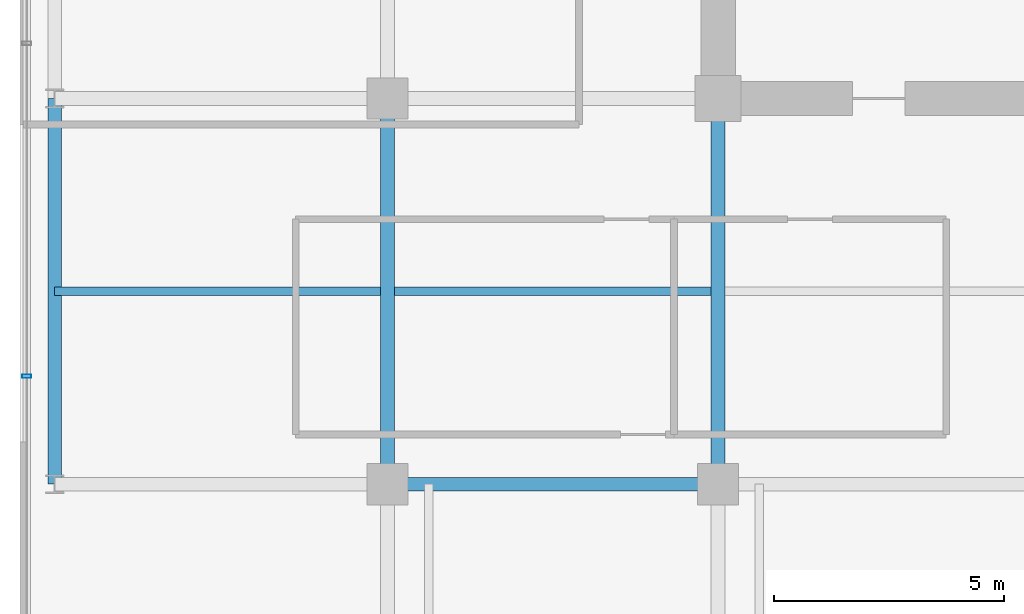
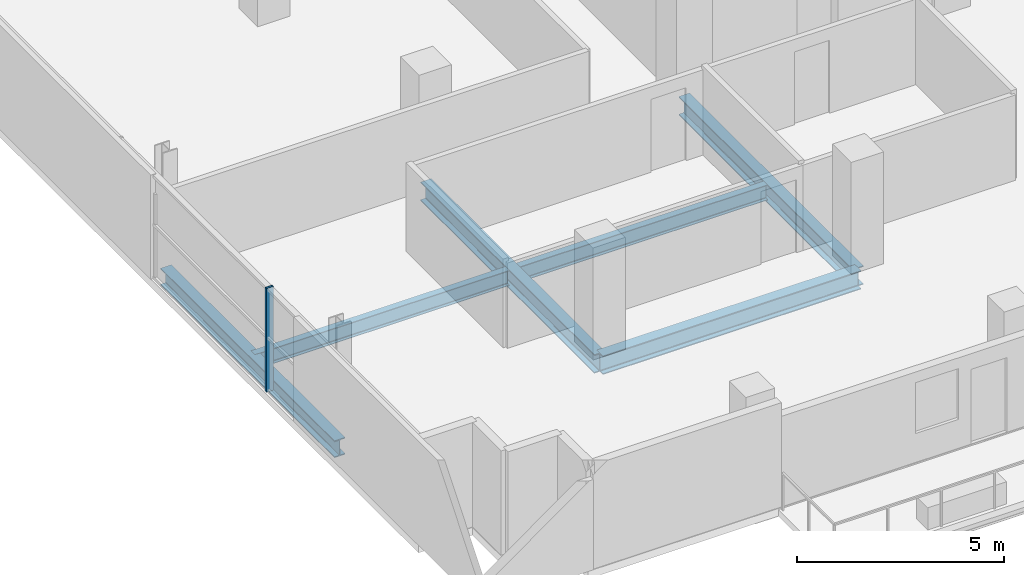
# One storey, part 4 of 25: 6 beams, 1 member, 1 element without a shape of its own.
"""IFC4 building model written with IfcOpenShell, lengths in metres."""

from ifc_helpers import new_model, si_unit, direction, frame, origin, origin_2d, place, context, subcontext, project, spatial, hollow_rectangle, i_section, extrude, source, transform, mapped, material, layer, layer_set, material_profile, profile_set, type_object, element, aggregate, save


model = new_model("IFC4")

# Units and contexts
model_context = context("Model", 3, precision=1e-05, world=origin(), true_north=direction((0.0, 1.0)))
body_context = subcontext(model_context, "Body", "Model", "MODEL_VIEW")
ifc_project = project(units=[si_unit("LENGTHUNIT", "METRE"), si_unit("AREAUNIT", "SQUARE_METRE"), si_unit("VOLUMEUNIT", "CUBIC_METRE"), si_unit("PLANEANGLEUNIT", "RADIAN"), si_unit("MASSUNIT", "GRAM", prefix="KILO")], contexts=[model_context])

# Site, building, storey
site_placement = place(None, origin())
site = spatial("IfcSite", under=ifc_project, at=site_placement, CompositionType="ELEMENT")
building_placement = place(site_placement, origin())
building = spatial("IfcBuilding", under=site, at=building_placement, Name="Zarnakvel Exchange Tower", CompositionType="ELEMENT")
storey_placement = place(building_placement, frame((0.0, 0.0, 100.0)))
storey = spatial("IfcBuildingStorey", under=building, at=storey_placement, Name="L27", CompositionType="ELEMENT", Elevation=100.0)

# Beams
ifc_material_1 = material(Name="Steel S355", Category="steel")
ifc_material_profile_1 = material_profile(ifc_material_1, i_section(OverallWidth=0.18994140625, OverallDepth=0.449951171875, WebThickness=0.009521484375, FlangeThickness=0.0146484375, FilletRadius=0.02099609375, at=origin_2d()))
ifc_profile_set_1 = profile_set([ifc_material_profile_1], Name="Steel S355")
beam_type_1 = type_object("IfcBeamType", Name="B-05", PredefinedType="JOIST", material=ifc_profile_set_1)
beam_1_placement = place(storey_placement, frame((-28.85009765625, -5.39990234375, -0.449951171875), z_axis=(1.0, 0.0, 0.0), x_axis=(0.0, 1.0, 0.0)))
element("IfcBeam", 1, at=beam_1_placement, inside=storey, type_object=beam_type_1, Name="L27 Composite Floor Secondary Joist", PredefinedType="JOIST", context=body_context, shape_type="SweptSolid", body=[
    extrude(i_section(OverallWidth=0.18994140625, OverallDepth=0.449951171875, WebThickness=0.009521484375, FlangeThickness=0.0146484375, FilletRadius=0.02099609375, at=origin_2d()), origin(), (0.0, 0.0, 1.0), 7.10009765625),
])
beam_2_placement = place(storey_placement, frame((-21.449951171875, -5.39990234375, -0.449951171875), z_axis=(1.0, 0.0, 0.0), x_axis=(0.0, 1.0, 0.0)))
element("IfcBeam", 2, at=beam_2_placement, inside=storey, type_object=beam_type_1, Name="L27 Composite Floor Secondary Joist", PredefinedType="JOIST", context=body_context, shape_type="SweptSolid", body=[
    extrude(i_section(OverallWidth=0.18994140625, OverallDepth=0.449951171875, WebThickness=0.009521484375, FlangeThickness=0.0146484375, FilletRadius=0.02099609375, at=origin_2d()), origin(), (0.0, 0.0, 1.0), 6.89990234375),
])
ifc_material_profile_2 = material_profile(ifc_material_1, i_section(OverallWidth=0.300048828125, OverallDepth=0.550048828125, WebThickness=0.014892578125, FlangeThickness=0.029052734375, FilletRadius=0.027099609375, at=origin_2d()))
ifc_profile_set_2 = profile_set([ifc_material_profile_2], Name="Steel S355")
beam_type_2 = type_object("IfcBeamType", Name="G-05", PredefinedType="BEAM", material=ifc_profile_set_2)
beam_3_placement = place(storey_placement, frame((-21.60009765625, -9.60009765625, -0.5), z_axis=(1.0, 0.0, 0.0), x_axis=(0.0, 1.0, 0.0)))
element("IfcBeam", 3, at=beam_3_placement, inside=storey, type_object=beam_type_2, Name="L27 Tower E-W Frame Beam", PredefinedType="BEAM", context=body_context, shape_type="SweptSolid", body=[
    extrude(i_section(OverallWidth=0.300048828125, OverallDepth=0.550048828125, WebThickness=0.014892578125, FlangeThickness=0.029052734375, FilletRadius=0.027099609375, at=origin_2d()), origin(), (0.0, 0.0, 1.0), 7.2001953125),
])
for number, where, z_axis, x_axis, name in (
    (4, (-21.60009765625, -9.60009765625, -0.5), (0.0, 1.0, 0.0), (-1.0, 0.0, 0.0), "L27 Tower N-S Frame Beam"),
    (5, (-14.39990234375, -9.60009765625, -0.5), (0.0, 1.0, 0.0), (-1.0, 0.0, 0.0), "L27 Tower N-S Frame Beam"),
):
    element("IfcBeam", number, at=place(storey_placement, frame(where, z_axis=z_axis, x_axis=x_axis)), inside=storey, type_object=beam_type_2, Name=name, PredefinedType="BEAM", context=body_context, shape_type="SweptSolid", body=[
        extrude(i_section(OverallWidth=0.300048828125, OverallDepth=0.550048828125, WebThickness=0.014892578125, FlangeThickness=0.029052734375, FilletRadius=0.027099609375, at=origin_2d()), origin(), (0.0, 0.0, 1.0), 8.400146484375),
    ])
ifc_material_profile_3 = material_profile(ifc_material_1, i_section(OverallWidth=0.300048828125, OverallDepth=0.5, WebThickness=0.014404296875, FlangeThickness=0.028076171875, FilletRadius=0.027099609375, at=origin_2d()))
ifc_profile_set_3 = profile_set([ifc_material_profile_3], Name="Steel S355")
beam_type_3 = type_object("IfcBeamType", Name="SP-02", PredefinedType="SPANDREL", material=ifc_profile_set_3)
beam_4_placement = place(storey_placement, frame((-28.85009765625, -9.60009765625, -0.47509765625), z_axis=(0.0, 1.0, 0.0), x_axis=(-1.0, 0.0, 0.0)))
element("IfcBeam", 6, at=beam_4_placement, inside=storey, type_object=beam_type_3, Name="L27 Tower N-S Frame Beam", PredefinedType="SPANDREL", context=body_context, shape_type="SweptSolid", body=[
    extrude(i_section(OverallWidth=0.300048828125, OverallDepth=0.5, WebThickness=0.014404296875, FlangeThickness=0.028076171875, FilletRadius=0.027099609375, at=origin_2d()), origin(), (0.0, 0.0, 1.0), 8.400146484375),
])

# Curtain wall, member
ifc_material_2 = material(Name="Architectural Bronze Anodised Aluminium", Category="aluminium")
ifc_layer = layer(ifc_material_2, 0.199951171875)
ifc_layer_set = layer_set([ifc_layer], Name="Architectural Bronze Anodised Aluminium")
curtain_wall_type = type_object("IfcCurtainWallType", Name="CW-04", PredefinedType="NOTDEFINED", material=ifc_layer_set)
curtain_wall_placement = place(storey_placement, origin())
curtain_wall = element("IfcCurtainWall", 7, at=curtain_wall_placement, inside=storey, type_object=curtain_wall_type, Name="L27 Curtain Wall CW-L27-W1 (CW-04)", PredefinedType="NOTDEFINED")
ifc_material_profile_4 = material_profile(ifc_material_2, hollow_rectangle(XDim=0.199951171875, YDim=0.074951171875, WallThickness=0.0048828125, at=origin_2d()))
ifc_profile_set_4 = profile_set([ifc_material_profile_4], Name="Architectural Bronze Anodised Aluminium")
member_type = type_object("IfcMemberType", Name="CWM-04", PredefinedType="MULLION", material=ifc_profile_set_4)
shared_shape = source(origin(), body_context, "Body", "SweptSolid", [
    extrude(hollow_rectangle(XDim=0.199951171875, YDim=0.074951171875, WallThickness=0.0048828125, at=origin_2d()), origin(), (0.0, 0.0, 1.0), 3.054931640625),
])
member_placement = place(storey_placement, frame((-29.4599609375, -7.25, 0.0), z_axis=(0.0, 0.0, 1.0), x_axis=(-1.0, 0.0, 0.0)))
member = element("IfcMember", 8, at=member_placement, type_object=member_type, Name="CW-04 mullion 2", PredefinedType="MULLION", context=body_context, shape_type="MappedRepresentation", body=[
    mapped(shared_shape, transform((0.0, 0.0, 0.0), x_axis=(1.0, 0.0, 0.0), y_axis=(0.0, 1.0, 0.0), z_axis=(0.0, 0.0, 1.0), scale=1.0)),
])
aggregate(curtain_wall, [member])

save(model, "model.ifc")
